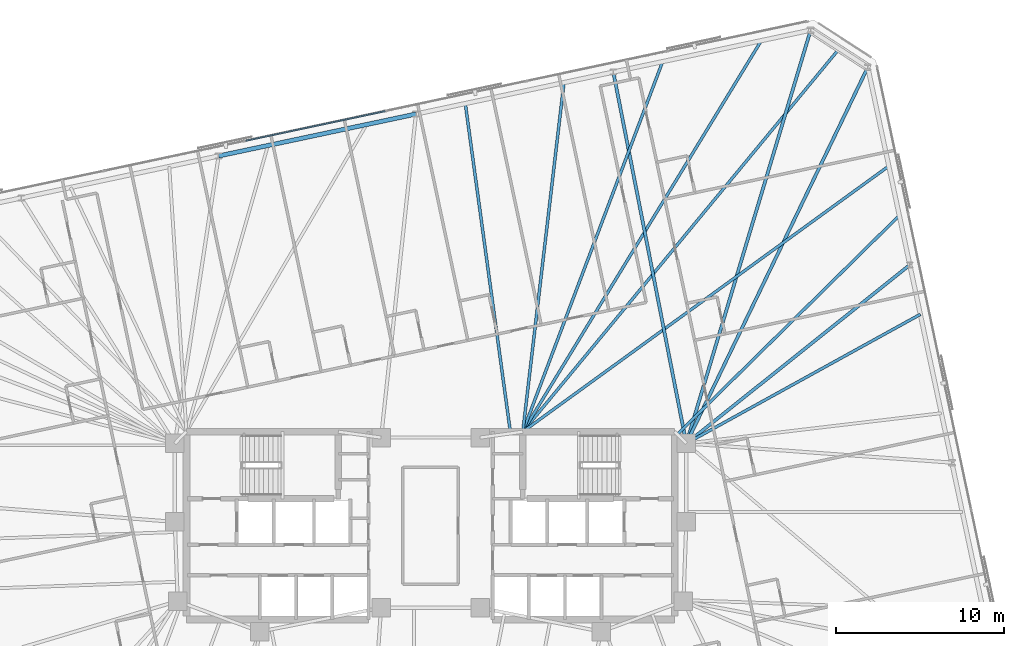
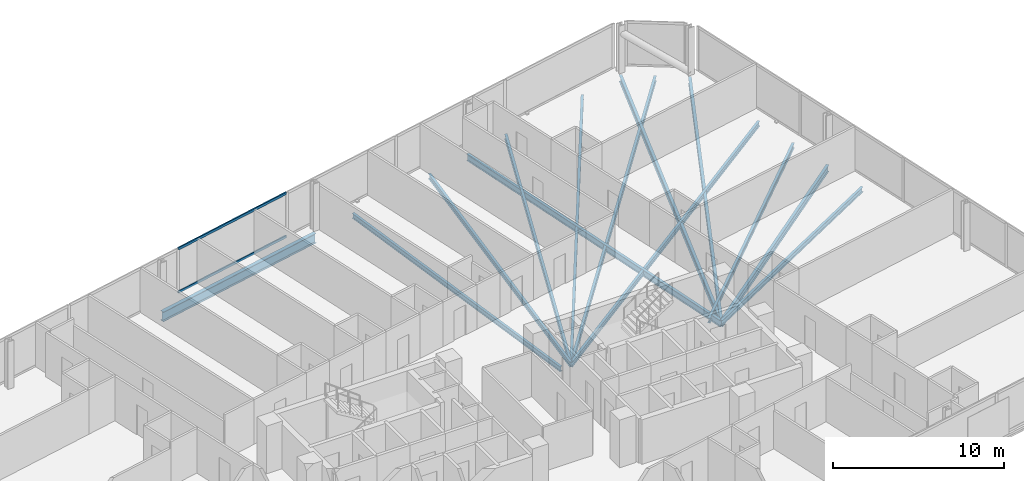
# One storey, part 10 of 21: 13 beams, 2 members, 1 element without a shape of its own.
"""IFC4 building model written with IfcOpenShell, lengths in metres."""

from ifc_helpers import new_model, si_unit, direction, frame, origin, origin_2d, place, context, subcontext, project, spatial, rectangle, i_section, extrude, material, material_profile, profile_set, type_object, element, aggregate, save


model = new_model("IFC4")

# Units and contexts
model_context = context("Model", 3, precision=1e-05, world=origin(), true_north=direction((0.0, 1.0)))
body_context = subcontext(model_context, "Body", "Model", "MODEL_VIEW")
ifc_project = project(units=[si_unit("LENGTHUNIT", "METRE"), si_unit("AREAUNIT", "SQUARE_METRE"), si_unit("VOLUMEUNIT", "CUBIC_METRE"), si_unit("PLANEANGLEUNIT", "RADIAN"), si_unit("MASSUNIT", "GRAM", prefix="KILO")], contexts=[model_context])

# Site, building, storey
site_placement = place(None, origin())
site = spatial("IfcSite", under=ifc_project, at=site_placement, CompositionType="ELEMENT")
building_placement = place(site_placement, origin())
building = spatial("IfcBuilding", under=site, at=building_placement, Name="Menara Jurai Vektor", CompositionType="ELEMENT")
storey_placement = place(building_placement, frame((0.0, 0.0, 165.0)))
storey = spatial("IfcBuildingStorey", under=building, at=storey_placement, Name="L42", CompositionType="ELEMENT", Elevation=165.0)

# Curtain wall, members
ifc_material_1 = material(Name="Anodised Pale Aluminium & Low-E Double Glazing", Category="aluminium")
curtain_wall_type = type_object("IfcCurtainWallType", Name="CW-BLK3", PredefinedType="NOTDEFINED", material=ifc_material_1)
curtain_wall_placement = place(storey_placement, origin())
curtain_wall = element("IfcCurtainWall", 1, at=curtain_wall_placement, inside=storey, type_object=curtain_wall_type, Name="Unitised Curtain Wall L42 F05", PredefinedType="NOTDEFINED")
ifc_material_2 = material(Name="Anodised Pale Aluminium Transom", Category="aluminium")
ifc_material_profile_1 = material_profile(ifc_material_2, rectangle(XDim=0.0849609375, YDim=0.175048828125, at=origin_2d()), Name="ALU TRN 85x175")
ifc_profile_set_1 = profile_set([ifc_material_profile_1], Name="Anodised Pale Aluminium Transom")
member_type = type_object("IfcMemberType", Name="CW-BLK3-TRN", PredefinedType="USERDEFINED", material=ifc_profile_set_1)
member_1_placement = place(storey_placement, frame((-2.716796875, 24.712890625, 0.04248046875), z_axis=(-0.978153589924, -0.207883511896, 0.0), x_axis=(0.207883511896, -0.978153589924, 0.0)))
member_1 = element("IfcMember", 2, at=member_1_placement, type_object=member_type, Name="CW-03 transom 4.1", ObjectType="TRANSOM", PredefinedType="USERDEFINED", context=body_context, shape_type="SweptSolid", body=[
    extrude(rectangle(XDim=0.0849609375, YDim=0.175048828125, at=origin_2d()), origin(), (0.0, 0.0, 1.0), 8.4921875),
])
member_2_placement = place(storey_placement, frame((-2.716796875, 24.712890625, 3.132568359375), z_axis=(-0.978153589924, -0.207883511896, 0.0), x_axis=(0.207883511896, -0.978153589924, 0.0)))
member_2 = element("IfcMember", 3, at=member_2_placement, type_object=member_type, Name="CW-03 transom 4.2", ObjectType="TRANSOM", PredefinedType="USERDEFINED", context=body_context, shape_type="SweptSolid", body=[
    extrude(rectangle(XDim=0.0849609375, YDim=0.175048828125, at=origin_2d()), origin(), (0.0, 0.0, 1.0), 8.4921875),
])
aggregate(curtain_wall, [member_1, member_2])

# Beams
ifc_material_3 = material(Name="Steel S355", Category="steel")
ifc_material_profile_2 = material_profile(ifc_material_3, i_section(OverallWidth=0.19091796875, OverallDepth=0.4599609375, WebThickness=0.010009765625, FlangeThickness=0.01611328125, FilletRadius=0.010009765625, at=origin_2d()), Name="UKB 457x191x82")
ifc_profile_set_2 = profile_set([ifc_material_profile_2], Name="Steel S355")
beam_type_1 = type_object("IfcBeamType", Name="STR-BM-457", PredefinedType="BEAM", material=ifc_profile_set_2)
beam_1_placement = place(storey_placement, frame((28.5771484375, 15.544921875, -0.455078125), z_axis=(-0.781346163898, -0.624097886683, 0.0), x_axis=(0.624097886683, -0.781346163898, 0.0)))
element("IfcBeam", 4, at=beam_1_placement, inside=storey, type_object=beam_type_1, Name="Radial Floor Girder L42-E3", PredefinedType="BEAM", context=body_context, shape_type="SweptSolid", body=[
    extrude(i_section(OverallWidth=0.19091796875, OverallDepth=0.4599609375, WebThickness=0.010009765625, FlangeThickness=0.01611328125, FilletRadius=0.010009765625, at=origin_2d()), origin(), (0.0, 0.0, 1.0), 17.056640625),
])
beam_2_placement = place(storey_placement, frame((26.0712890625, 27.33349609375, -0.455078125), z_axis=(-0.434465059539, -0.900688687639, 0.0), x_axis=(0.900688687639, -0.434465059539, 0.0)))
element("IfcBeam", 5, at=beam_2_placement, inside=storey, type_object=beam_type_1, Name="Radial Floor Girder L42-E4", PredefinedType="BEAM", context=body_context, shape_type="SweptSolid", body=[
    extrude(i_section(OverallWidth=0.19091796875, OverallDepth=0.4599609375, WebThickness=0.010009765625, FlangeThickness=0.01611328125, FilletRadius=0.010009765625, at=origin_2d()), origin(), (0.0, 0.0, 1.0), 24.9072265625),
])
beam_3_placement = place(storey_placement, frame((22.664794921875, 29.545654296875, -0.455078125), z_axis=(-0.288098843548, -0.957600676872, 0.0), x_axis=(0.957600676872, -0.288098843548, 0.0)))
element("IfcBeam", 6, at=beam_3_placement, inside=storey, type_object=beam_type_1, Name="Radial Floor Girder L42-N1", PredefinedType="BEAM", context=body_context, shape_type="SweptSolid", body=[
    extrude(i_section(OverallWidth=0.19091796875, OverallDepth=0.4599609375, WebThickness=0.010009765625, FlangeThickness=0.01611328125, FilletRadius=0.010009765625, at=origin_2d()), origin(), (0.0, 0.0, 1.0), 25.737060546875),
])
beam_4_placement = place(storey_placement, frame((10.896484375, 27.044189453125, -0.455078125), z_axis=(0.192905075816, -0.981217423268, 0.0), x_axis=(0.981217423268, 0.192905075816, 0.0)))
element("IfcBeam", 7, at=beam_4_placement, inside=storey, type_object=beam_type_1, Name="Radial Floor Girder L42-N2", PredefinedType="BEAM", context=body_context, shape_type="SweptSolid", body=[
    extrude(i_section(OverallWidth=0.19091796875, OverallDepth=0.4599609375, WebThickness=0.010009765625, FlangeThickness=0.01611328125, FilletRadius=0.010009765625, at=origin_2d()), origin(), (0.0, 0.0, 1.0), 22.568115234375),
])
ifc_material_profile_3 = material_profile(ifc_material_3, i_section(OverallWidth=0.172119140625, OverallDepth=0.35498046875, WebThickness=0.007080078125, FlangeThickness=0.011962890625, FilletRadius=0.010009765625, at=origin_2d()), Name="UKB 356x171x51")
ifc_profile_set_3 = profile_set([ifc_material_profile_3], Name="Steel S355")
beam_type_2 = type_object("IfcBeamType", Name="STR-JS-356", PredefinedType="JOIST", material=ifc_profile_set_3)
beam_5_placement = place(storey_placement, frame((29.20361328125, 12.597900390625, -0.402587890625), z_axis=(-0.875592207488, -0.483051018202, 0.0), x_axis=(0.483051018202, -0.875592207488, 0.0)))
element("IfcBeam", 8, at=beam_5_placement, inside=storey, type_object=beam_type_2, Name="Radial Secondary Floor Joist L42-JS14", PredefinedType="JOIST", context=body_context, shape_type="SweptSolid", body=[
    extrude(i_section(OverallWidth=0.172119140625, OverallDepth=0.35498046875, WebThickness=0.007080078125, FlangeThickness=0.011962890625, FilletRadius=0.010009765625, at=origin_2d()), origin(), (0.0, 0.0, 1.0), 15.936279296875),
])
beam_6_placement = place(storey_placement, frame((27.95068359375, 18.4921875, -0.402587890625), z_axis=(-0.712171791789, -0.702005227174, 0.0), x_axis=(0.702005227174, -0.712171791789, 0.0)))
element("IfcBeam", 9, at=beam_6_placement, inside=storey, type_object=beam_type_2, Name="Radial Secondary Floor Joist L42-JS15", PredefinedType="JOIST", context=body_context, shape_type="SweptSolid", body=[
    extrude(i_section(OverallWidth=0.172119140625, OverallDepth=0.35498046875, WebThickness=0.007080078125, FlangeThickness=0.011962890625, FilletRadius=0.010009765625, at=origin_2d()), origin(), (0.0, 0.0, 1.0), 18.5869140625),
])
beam_7_placement = place(storey_placement, frame((27.32421875, 21.439208984375, -0.402587890625), z_axis=(-0.809318640486, -0.587369847848, 0.0), x_axis=(0.587369847848, -0.809318640486, 0.0)))
element("IfcBeam", 10, at=beam_7_placement, inside=storey, type_object=beam_type_2, Name="Radial Secondary Floor Joist L42-JS16", PredefinedType="JOIST", context=body_context, shape_type="SweptSolid", body=[
    extrude(i_section(OverallWidth=0.172119140625, OverallDepth=0.35498046875, WebThickness=0.007080078125, FlangeThickness=0.011962890625, FilletRadius=0.010009765625, at=origin_2d()), origin(), (0.0, 0.0, 1.0), 26.966064453125),
])
beam_8_placement = place(storey_placement, frame((24.3681640625, 28.439697265625, -0.402587890625), z_axis=(-0.636894863934, -0.770950667873, 0.0), x_axis=(0.770950667873, -0.636894863934, 0.0)))
element("IfcBeam", 11, at=beam_8_placement, inside=storey, type_object=beam_type_2, Name="Radial Secondary Floor Joist L42-JS17", PredefinedType="JOIST", context=body_context, shape_type="SweptSolid", body=[
    extrude(i_section(OverallWidth=0.172119140625, OverallDepth=0.35498046875, WebThickness=0.007080078125, FlangeThickness=0.011962890625, FilletRadius=0.010009765625, at=origin_2d()), origin(), (0.0, 0.0, 1.0), 29.625244140625),
])
beam_9_placement = place(storey_placement, frame((19.72265625, 28.92041015625, -0.402587890625), z_axis=(-0.520686242997, -0.8537481106, 0.0), x_axis=(0.8537481106, -0.520686242997, 0.0)))
element("IfcBeam", 12, at=beam_9_placement, inside=storey, type_object=beam_type_2, Name="Radial Secondary Floor Joist L42-JS18", PredefinedType="JOIST", context=body_context, shape_type="SweptSolid", body=[
    extrude(i_section(OverallWidth=0.172119140625, OverallDepth=0.35498046875, WebThickness=0.007080078125, FlangeThickness=0.011962890625, FilletRadius=0.010009765625, at=origin_2d()), origin(), (0.0, 0.0, 1.0), 27.315185546875),
])
beam_10_placement = place(storey_placement, frame((13.838623046875, 27.669677734375, -0.402587890625), z_axis=(-0.353446048928, -0.935454910991, 0.0), x_axis=(0.935454910991, -0.353446048928, 0.0)))
element("IfcBeam", 13, at=beam_10_placement, inside=storey, type_object=beam_type_2, Name="Radial Secondary Floor Joist L42-JS19", PredefinedType="JOIST", context=body_context, shape_type="SweptSolid", body=[
    extrude(i_section(OverallWidth=0.172119140625, OverallDepth=0.35498046875, WebThickness=0.007080078125, FlangeThickness=0.011962890625, FilletRadius=0.010009765625, at=origin_2d()), origin(), (0.0, 0.0, 1.0), 23.59228515625),
])
beam_11_placement = place(storey_placement, frame((7.95458984375, 26.4189453125, -0.402587890625), z_axis=(-0.117091260338, -0.99312115915, 0.0), x_axis=(0.99312115915, -0.117091260338, 0.0)))
element("IfcBeam", 14, at=beam_11_placement, inside=storey, type_object=beam_type_2, Name="Radial Secondary Floor Joist L42-JS20", PredefinedType="JOIST", context=body_context, shape_type="SweptSolid", body=[
    extrude(i_section(OverallWidth=0.172119140625, OverallDepth=0.35498046875, WebThickness=0.007080078125, FlangeThickness=0.011962890625, FilletRadius=0.010009765625, at=origin_2d()), origin(), (0.0, 0.0, 1.0), 20.963134765625),
])
beam_12_placement = place(storey_placement, frame((2.0703125, 25.168212890625, -0.402587890625), z_axis=(0.135985700778, -0.990710799973, 0.0), x_axis=(0.990710799973, 0.135985700778, 0.0)))
element("IfcBeam", 15, at=beam_12_placement, inside=storey, type_object=beam_type_2, Name="Radial Secondary Floor Joist L42-JS21", PredefinedType="JOIST", context=body_context, shape_type="SweptSolid", body=[
    extrude(i_section(OverallWidth=0.172119140625, OverallDepth=0.35498046875, WebThickness=0.007080078125, FlangeThickness=0.011962890625, FilletRadius=0.010009765625, at=origin_2d()), origin(), (0.0, 0.0, 1.0), 19.852783203125),
])
ifc_material_4 = material(Name="Steel S460", Category="steel")
ifc_material_profile_4 = material_profile(ifc_material_4, i_section(OverallWidth=0.256103515625, OverallDepth=0.693115234375, WebThickness=0.013916015625, FlangeThickness=0.02392578125, FilletRadius=0.014892578125, at=origin_2d()), Name="UKB 686x254x170")
ifc_profile_set_4 = profile_set([ifc_material_profile_4], Name="Steel S460")
beam_type_3 = type_object("IfcBeamType", Name="STR-SP-686", PredefinedType="SPANDREL", material=ifc_profile_set_4)
beam_13_placement = place(storey_placement, frame((-0.87158203125, 24.54296875, -0.571533203125), z_axis=(-0.978147039247, -0.207914332389, 0.0), x_axis=(0.207914332389, -0.978147039247, 0.0)))
element("IfcBeam", 16, at=beam_13_placement, inside=storey, type_object=beam_type_3, Name="Exoskeleton Spandrel Beam L42-13", PredefinedType="SPANDREL", context=body_context, shape_type="SweptSolid", body=[
    extrude(i_section(OverallWidth=0.256103515625, OverallDepth=0.693115234375, WebThickness=0.013916015625, FlangeThickness=0.02392578125, FilletRadius=0.014892578125, at=origin_2d()), origin(), (0.0, 0.0, 1.0), 12.03125),
])

save(model, "model.ifc")
